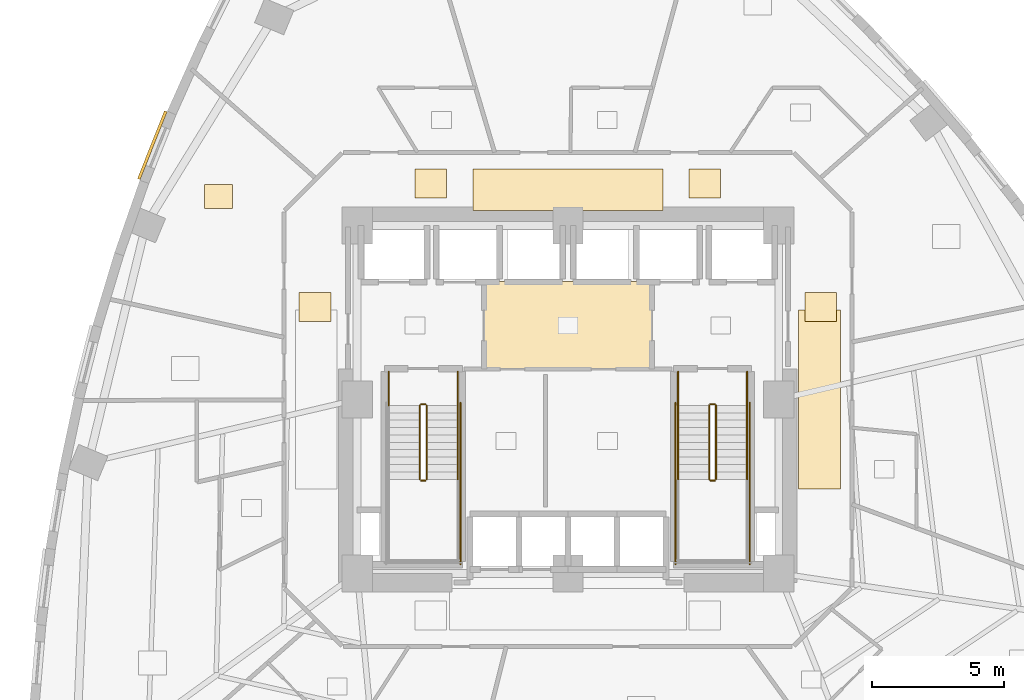
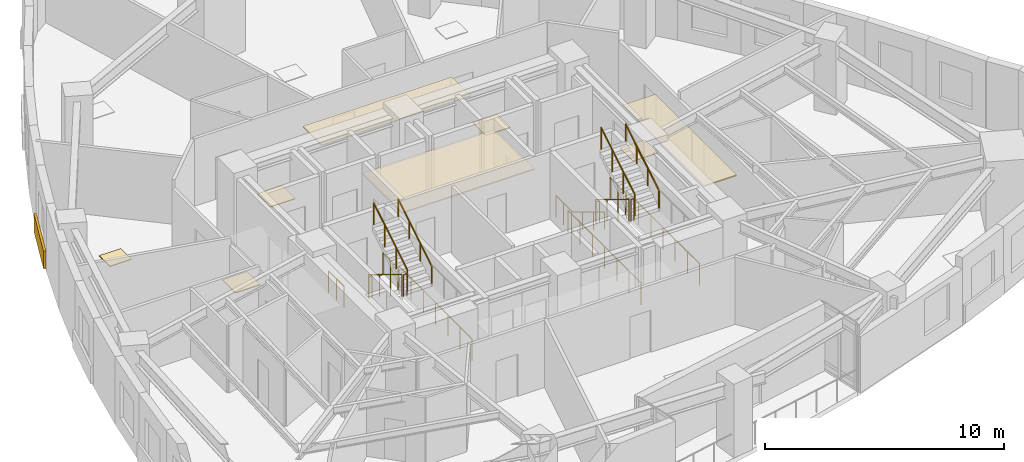
# One storey, part 11 of 12: 18 railings, 9 coverings.
"""IFC4 building model written with IfcOpenShell, lengths in metres."""

from ifc_helpers import new_model, si_unit, direction, frame, origin, origin_2d, place, context, subcontext, project, spatial, rectangle, circle, extrude, material, layer, layer_set, type_object, element, save


model = new_model("IFC4")

# Units and contexts
model_context = context("Model", 3, precision=1e-05, world=origin(), true_north=direction((0.0, 1.0)))
body_context = subcontext(model_context, "Body", "Model", "MODEL_VIEW")
ifc_project = project(units=[si_unit("LENGTHUNIT", "METRE"), si_unit("AREAUNIT", "SQUARE_METRE"), si_unit("VOLUMEUNIT", "CUBIC_METRE"), si_unit("PLANEANGLEUNIT", "RADIAN"), si_unit("MASSUNIT", "GRAM", prefix="KILO")], contexts=[model_context])

# Site, building, storey
site_placement = place(None, origin())
site = spatial("IfcSite", under=ifc_project, at=site_placement, CompositionType="ELEMENT")
building_placement = place(site_placement, origin())
building = spatial("IfcBuilding", under=site, at=building_placement, Name="Ndelora Gate Hotel", CompositionType="ELEMENT")
storey_placement = place(building_placement, frame((0.0, 0.0, 79.25)))
storey = spatial("IfcBuildingStorey", under=building, at=storey_placement, Name="L19", CompositionType="ELEMENT", Elevation=79.25)

# Coverings
ifc_material_1 = material(Name="Perforated Acoustic Gypsum Board", Category="gypsum")
ifc_layer_1 = layer(ifc_material_1, 0.054931640625)
ifc_layer_set_1 = layer_set([ifc_layer_1], Name="Perforated Acoustic Gypsum Board")
covering_type_1 = type_object("IfcCoveringType", Name="COV-CEIL-AC60", PredefinedType="CEILING", material=ifc_layer_set_1)
covering_1_placement = place(storey_placement, frame((0.0, 2.800048828125, 2.72265625), z_axis=(0.0, 0.0, 1.0), x_axis=(1.0, 0.0, 0.0)))
element("IfcCovering", 1, at=covering_1_placement, inside=storey, type_object=covering_type_1, Name="L19 Lift Lobby Acoustic Ceiling", PredefinedType="CEILING", context=body_context, shape_type="SweptSolid", body=[
    extrude(rectangle(XDim=6.39990234375, YDim=3.340087890625, at=origin_2d()), origin(), (0.0, 0.0, 1.0), 0.054931640625),
])
covering_2_placement = place(storey_placement, frame((0.0, 7.9599609375, 2.65234375), z_axis=(0.0, 0.0, 1.0), x_axis=(1.0, 0.0, 0.0)))
element("IfcCovering", 2, at=covering_2_placement, inside=storey, type_object=covering_type_1, Name="L19 Guest Corridor Acoustic Ceiling N", PredefinedType="CEILING", context=body_context, shape_type="SweptSolid", body=[
    extrude(rectangle(XDim=7.199951171875, YDim=1.580078125, at=origin_2d()), origin(), (0.0, 0.0, 1.0), 0.054931640625),
])
covering_3_placement = place(storey_placement, frame((9.550048828125, 0.0, 2.65234375), z_axis=(0.0, 0.0, 1.0), x_axis=(1.0, 0.0, 0.0)))
element("IfcCovering", 3, at=covering_3_placement, inside=storey, type_object=covering_type_1, Name="L19 Guest Corridor Acoustic Ceiling E", PredefinedType="CEILING", context=body_context, shape_type="SweptSolid", body=[
    extrude(rectangle(XDim=1.580078125, YDim=6.800048828125, at=origin_2d()), origin(), (0.0, 0.0, 1.0), 0.054931640625),
])
ifc_material_2 = material(Name="Terracotta Fired Clay Brick Slip Cladding", Category="masonry")
ifc_layer_2 = layer(ifc_material_2, 0.110107421875)
ifc_layer_set_2 = layer_set([ifc_layer_2], Name="Terracotta Fired Clay Brick Slip Cladding")
covering_type_2 = type_object("IfcCoveringType", Name="COV-CLAD-BRK", PredefinedType="CLADDING", material=ifc_layer_set_2)
covering_4_placement = place(storey_placement, frame((-15.774169921875, 9.650146484375, 0.10009765625), z_axis=(0.0, 0.0, 1.0), x_axis=(0.369260213935, 0.929326043111, 0.0)))
element("IfcCovering", 4, at=covering_4_placement, inside=storey, type_object=covering_type_2, Name="L19 Rounded-Corner Brick Cladding Band 13", PredefinedType="CLADDING", context=body_context, shape_type="SweptSolid", body=[
    extrude(rectangle(XDim=2.764892578125, YDim=0.110107421875, at=origin_2d()), origin(), (0.0, 0.0, 1.0), 0.89990234375),
])
ifc_material_3 = material(Name="Engineered Highland Oak Parquet", Category="wood")
ifc_layer_3 = layer(ifc_material_3, 0.030029296875)
ifc_layer_set_3 = layer_set([ifc_layer_3], Name="Engineered Highland Oak Parquet")
covering_type_3 = type_object("IfcCoveringType", Name="COV-FLR-PARQ", PredefinedType="FLOORING", material=ifc_layer_set_3)
covering_5_placement = place(storey_placement, frame((-13.259033203125, 7.698486328125, 0.0), z_axis=(0.0, 0.0, 1.0), x_axis=(1.0, 0.0, 0.0)))
element("IfcCovering", 5, at=covering_5_placement, inside=storey, type_object=covering_type_3, Name="L19 Espresso Cocktail Bar Oak Parquet Flooring", PredefinedType="FLOORING", context=body_context, shape_type="SweptSolid", body=[
    extrude(rectangle(XDim=1.050048828125, YDim=0.89990234375, at=origin_2d()), origin(), (0.0, 0.0, 1.0), 0.030029296875),
])
ifc_material_4 = material(Name="Polished Highland Stone Terrazzo", Category="masonry")
ifc_layer_4 = layer(ifc_material_4, 0.034912109375)
ifc_layer_set_4 = layer_set([ifc_layer_4], Name="Polished Highland Stone Terrazzo")
covering_type_4 = type_object("IfcCoveringType", Name="COV-FLR-TERZ", PredefinedType="FLOORING", material=ifc_layer_set_4)
for number, where, z_axis, x_axis, name in (
    (6, (-5.199951171875, 8.199951171875, 0.0), (0.0, 0.0, 1.0), (1.0, 0.0, 0.0), "L19 Corridor Threshold Terrazzo Inlay NW"),
    (7, (5.199951171875, 8.199951171875, 0.0), (0.0, 0.0, 1.0), (1.0, 0.0, 0.0), "L19 Corridor Threshold Terrazzo Inlay NE"),
    (8, (-9.60009765625, 3.5, 0.0), (0.0, 0.0, 1.0), (1.0, 0.0, 0.0), "L19 Corridor Threshold Terrazzo Inlay W"),
    (9, (9.60009765625, 3.5, 0.0), (0.0, 0.0, 1.0), (1.0, 0.0, 0.0), "L19 Corridor Threshold Terrazzo Inlay E"),
):
    element("IfcCovering", number, at=place(storey_placement, frame(where, z_axis=z_axis, x_axis=x_axis)), inside=storey, type_object=covering_type_4, Name=name, PredefinedType="FLOORING", context=body_context, shape_type="SweptSolid", body=[
        extrude(rectangle(XDim=1.199951171875, YDim=1.10009765625, at=origin_2d()), origin(), (0.0, 0.0, 1.0), 0.034912109375),
    ])

# Railings
ifc_material_5 = material(Name="Painted Galvanized Steel Balustrade", Category="steel")
ifc_layer_5 = layer(ifc_material_5, 0.06005859375)
ifc_layer_set_5 = layer_set([ifc_layer_5], Name="Painted Galvanized Steel Balustrade")
railing_type_1 = type_object("IfcRailingType", Name="RL-STAIR-GD", PredefinedType="GUARDRAIL", material=ifc_layer_set_5)
railing_1_placement = place(storey_placement, frame((-5.6201171875, -0.22998046875, 0.17041015625)))
element("IfcRailing", 10, at=railing_1_placement, inside=storey, type_object=railing_type_1, Name="L19 ST4 stair guard 1", PredefinedType="GUARDRAIL", context=body_context, shape_type="SweptSolid", body=[
    extrude(circle(Radius=0.02392578125, at=origin_2d()), frame((0.0, 0.0, 1.10595703125), z_axis=(0.0, -0.854169791009, 0.51999420009), x_axis=(1.0, 0.0, 0.0)), (0.0, 0.0, 1.0), 3.278076171875),
    extrude(circle(Radius=0.02099609375, at=origin_2d()), origin(), (0.0, 0.0, 1.0), 1.081787109375),
    extrude(circle(Radius=0.02099609375, at=origin_2d()), frame((0.0, -0.933349609375, 0.568115234375)), (0.0, 0.0, 1.0), 1.081787109375),
    extrude(circle(Radius=0.02099609375, at=origin_2d()), frame((0.0, -1.86669921875, 1.136474609375)), (0.0, 0.0, 1.0), 1.081787109375),
    extrude(circle(Radius=0.02099609375, at=origin_2d()), frame((0.0, -2.800048828125, 1.70458984375)), (0.0, 0.0, 1.0), 1.081787109375),
])
railing_2_placement = place(storey_placement, frame((-5.570068359375, -3.080078125, 1.875)))
element("IfcRailing", 11, at=railing_2_placement, inside=storey, type_object=railing_type_1, Name="L19 ST4 stair guard 2", PredefinedType="GUARDRAIL", context=body_context, shape_type="SweptSolid", body=[
    extrude(circle(Radius=0.02392578125, at=origin_2d()), frame((0.0, 0.0, 1.10595703125), z_axis=(1.0, 0.0, 0.0), x_axis=(0.0, 1.0, 0.0)), (0.0, 0.0, 1.0), 0.16015625),
    extrude(circle(Radius=0.02099609375, at=origin_2d()), origin(), (0.0, 0.0, 1.0), 1.081787109375),
    extrude(circle(Radius=0.02099609375, at=origin_2d()), frame((0.16015625, 0.0, 0.0)), (0.0, 0.0, 1.0), 1.081787109375),
])
railing_3_placement = place(storey_placement, frame((-5.360107421875, -3.030029296875, 2.04541015625)))
element("IfcRailing", 12, at=railing_3_placement, inside=storey, type_object=railing_type_1, Name="L19 ST4 stair guard 6", PredefinedType="GUARDRAIL", context=body_context, shape_type="SweptSolid", body=[
    extrude(circle(Radius=0.02392578125, at=origin_2d()), frame((0.0, 0.0, 1.10595703125), z_axis=(0.0, 0.854169791009, 0.51999420009), x_axis=(-1.0, 0.0, 0.0)), (0.0, 0.0, 1.0), 3.278076171875),
    extrude(circle(Radius=0.02099609375, at=origin_2d()), origin(), (0.0, 0.0, 1.0), 1.081787109375),
    extrude(circle(Radius=0.02099609375, at=origin_2d()), frame((0.0, 0.933349609375, 0.568115234375)), (0.0, 0.0, 1.0), 1.081787109375),
    extrude(circle(Radius=0.02099609375, at=origin_2d()), frame((0.0, 1.86669921875, 1.136474609375)), (0.0, 0.0, 1.0), 1.081787109375),
    extrude(circle(Radius=0.02099609375, at=origin_2d()), frame((0.0, 2.800048828125, 1.70458984375)), (0.0, 0.0, 1.0), 1.081787109375),
])
railing_4_placement = place(storey_placement, frame((-5.570068359375, -0.179931640625, 0.0)))
element("IfcRailing", 13, at=railing_4_placement, inside=storey, type_object=railing_type_1, Name="L19 ST4 stair guard 7", PredefinedType="GUARDRAIL", context=body_context, shape_type="SweptSolid", body=[
    extrude(circle(Radius=0.02392578125, at=origin_2d()), frame((0.0, 0.0, 1.10595703125), z_axis=(1.0, 0.0, 0.0), x_axis=(0.0, 1.0, 0.0)), (0.0, 0.0, 1.0), 0.16015625),
    extrude(circle(Radius=0.02099609375, at=origin_2d()), origin(), (0.0, 0.0, 1.0), 1.081787109375),
    extrude(circle(Radius=0.02099609375, at=origin_2d()), frame((0.16015625, 0.0, 0.0)), (0.0, 0.0, 1.0), 1.081787109375),
])
for number, where, name in (
    (14, (-6.800048828125, 1.050048828125, 0.0), "L19 ST4 stair guard 8"),
    (15, (-4.179931640625, 1.050048828125, 0.0), "L19 ST4 stair guard 9"),
):
    element("IfcRailing", number, at=place(storey_placement, frame(where)), inside=storey, type_object=railing_type_1, Name=name, PredefinedType="GUARDRAIL", context=body_context, shape_type="SweptSolid", body=[
        extrude(circle(Radius=0.02392578125, at=origin_2d()), frame((0.0, 0.0, 1.10595703125), z_axis=(0.0, -1.0, 0.0), x_axis=(1.0, 0.0, 0.0)), (0.0, 0.0, 1.0), 1.280029296875),
        extrude(circle(Radius=0.02099609375, at=origin_2d()), origin(), (0.0, 0.0, 1.0), 1.081787109375),
        extrude(circle(Radius=0.02099609375, at=origin_2d()), frame((0.0, -0.64013671875, 0.0)), (0.0, 0.0, 1.0), 1.081787109375),
        extrude(circle(Radius=0.02099609375, at=origin_2d()), frame((0.0, -1.280029296875, 0.0)), (0.0, 0.0, 1.0), 1.081787109375),
    ])
railing_5_placement = place(storey_placement, frame((-4.080078125, -0.1298828125, 0.0)))
element("IfcRailing", 16, at=railing_5_placement, inside=storey, type_object=railing_type_1, Name="L19 ST4 stair guard 11", PredefinedType="GUARDRAIL", context=body_context, shape_type="SweptSolid", body=[
    extrude(circle(Radius=0.02392578125, at=origin_2d()), frame((0.0, 0.0, 1.10595703125), z_axis=(0.0, -1.0, 0.0), x_axis=(1.0, 0.0, 0.0)), (0.0, 0.0, 1.0), 6.1201171875),
    extrude(circle(Radius=0.02099609375, at=origin_2d()), origin(), (0.0, 0.0, 1.0), 1.081787109375),
    extrude(circle(Radius=0.02099609375, at=origin_2d()), frame((0.0, -1.02001953125, 0.0)), (0.0, 0.0, 1.0), 1.081787109375),
    extrude(circle(Radius=0.02099609375, at=origin_2d()), frame((0.0, -2.0400390625, 0.0)), (0.0, 0.0, 1.0), 1.081787109375),
    extrude(circle(Radius=0.02099609375, at=origin_2d()), frame((0.0, -3.06005859375, 0.0)), (0.0, 0.0, 1.0), 1.081787109375),
    extrude(circle(Radius=0.02099609375, at=origin_2d()), frame((0.0, -4.080078125, 0.0)), (0.0, 0.0, 1.0), 1.081787109375),
    extrude(circle(Radius=0.02099609375, at=origin_2d()), frame((0.0, -5.10009765625, 0.0)), (0.0, 0.0, 1.0), 1.081787109375),
    extrude(circle(Radius=0.02099609375, at=origin_2d()), frame((0.0, -6.1201171875, 0.0)), (0.0, 0.0, 1.0), 1.081787109375),
])
railing_6_placement = place(storey_placement, frame((5.360107421875, -0.22998046875, 0.17041015625)))
element("IfcRailing", 17, at=railing_6_placement, inside=storey, type_object=railing_type_1, Name="L19 ST5 stair guard 1", PredefinedType="GUARDRAIL", context=body_context, shape_type="SweptSolid", body=[
    extrude(circle(Radius=0.02392578125, at=origin_2d()), frame((0.0, 0.0, 1.10595703125), z_axis=(0.0, -0.854169791009, 0.51999420009), x_axis=(1.0, 0.0, 0.0)), (0.0, 0.0, 1.0), 3.278076171875),
    extrude(circle(Radius=0.02099609375, at=origin_2d()), origin(), (0.0, 0.0, 1.0), 1.081787109375),
    extrude(circle(Radius=0.02099609375, at=origin_2d()), frame((0.0, -0.933349609375, 0.568115234375)), (0.0, 0.0, 1.0), 1.081787109375),
    extrude(circle(Radius=0.02099609375, at=origin_2d()), frame((0.0, -1.86669921875, 1.136474609375)), (0.0, 0.0, 1.0), 1.081787109375),
    extrude(circle(Radius=0.02099609375, at=origin_2d()), frame((0.0, -2.800048828125, 1.70458984375)), (0.0, 0.0, 1.0), 1.081787109375),
])
railing_7_placement = place(storey_placement, frame((5.409912109375, -3.080078125, 1.875)))
element("IfcRailing", 18, at=railing_7_placement, inside=storey, type_object=railing_type_1, Name="L19 ST5 stair guard 2", PredefinedType="GUARDRAIL", context=body_context, shape_type="SweptSolid", body=[
    extrude(circle(Radius=0.02392578125, at=origin_2d()), frame((0.0, 0.0, 1.10595703125), z_axis=(1.0, 0.0, 0.0), x_axis=(0.0, 1.0, 0.0)), (0.0, 0.0, 1.0), 0.16015625),
    extrude(circle(Radius=0.02099609375, at=origin_2d()), origin(), (0.0, 0.0, 1.0), 1.081787109375),
    extrude(circle(Radius=0.02099609375, at=origin_2d()), frame((0.16015625, 0.0, 0.0)), (0.0, 0.0, 1.0), 1.081787109375),
])
railing_8_placement = place(storey_placement, frame((5.6201171875, -3.030029296875, 2.04541015625)))
element("IfcRailing", 19, at=railing_8_placement, inside=storey, type_object=railing_type_1, Name="L19 ST5 stair guard 6", PredefinedType="GUARDRAIL", context=body_context, shape_type="SweptSolid", body=[
    extrude(circle(Radius=0.02392578125, at=origin_2d()), frame((0.0, 0.0, 1.10595703125), z_axis=(0.0, 0.854169791009, 0.51999420009), x_axis=(-1.0, 0.0, 0.0)), (0.0, 0.0, 1.0), 3.278076171875),
    extrude(circle(Radius=0.02099609375, at=origin_2d()), origin(), (0.0, 0.0, 1.0), 1.081787109375),
    extrude(circle(Radius=0.02099609375, at=origin_2d()), frame((0.0, 0.933349609375, 0.568115234375)), (0.0, 0.0, 1.0), 1.081787109375),
    extrude(circle(Radius=0.02099609375, at=origin_2d()), frame((0.0, 1.86669921875, 1.136474609375)), (0.0, 0.0, 1.0), 1.081787109375),
    extrude(circle(Radius=0.02099609375, at=origin_2d()), frame((0.0, 2.800048828125, 1.70458984375)), (0.0, 0.0, 1.0), 1.081787109375),
])
railing_9_placement = place(storey_placement, frame((5.409912109375, -0.179931640625, 0.0)))
element("IfcRailing", 20, at=railing_9_placement, inside=storey, type_object=railing_type_1, Name="L19 ST5 stair guard 7", PredefinedType="GUARDRAIL", context=body_context, shape_type="SweptSolid", body=[
    extrude(circle(Radius=0.02392578125, at=origin_2d()), frame((0.0, 0.0, 1.10595703125), z_axis=(1.0, 0.0, 0.0), x_axis=(0.0, 1.0, 0.0)), (0.0, 0.0, 1.0), 0.16015625),
    extrude(circle(Radius=0.02099609375, at=origin_2d()), origin(), (0.0, 0.0, 1.0), 1.081787109375),
    extrude(circle(Radius=0.02099609375, at=origin_2d()), frame((0.16015625, 0.0, 0.0)), (0.0, 0.0, 1.0), 1.081787109375),
])
for number, where, name in (
    (21, (4.179931640625, 1.050048828125, 0.0), "L19 ST5 stair guard 8"),
    (22, (6.800048828125, 1.050048828125, 0.0), "L19 ST5 stair guard 9"),
):
    element("IfcRailing", number, at=place(storey_placement, frame(where)), inside=storey, type_object=railing_type_1, Name=name, PredefinedType="GUARDRAIL", context=body_context, shape_type="SweptSolid", body=[
        extrude(circle(Radius=0.02392578125, at=origin_2d()), frame((0.0, 0.0, 1.10595703125), z_axis=(0.0, -1.0, 0.0), x_axis=(1.0, 0.0, 0.0)), (0.0, 0.0, 1.0), 1.280029296875),
        extrude(circle(Radius=0.02099609375, at=origin_2d()), origin(), (0.0, 0.0, 1.0), 1.081787109375),
        extrude(circle(Radius=0.02099609375, at=origin_2d()), frame((0.0, -0.64013671875, 0.0)), (0.0, 0.0, 1.0), 1.081787109375),
        extrude(circle(Radius=0.02099609375, at=origin_2d()), frame((0.0, -1.280029296875, 0.0)), (0.0, 0.0, 1.0), 1.081787109375),
    ])
for number, where, name in (
    (23, (4.080078125, -0.1298828125, 0.0), "L19 ST5 stair guard 10"),
    (24, (6.89990234375, -0.1298828125, 0.0), "L19 ST5 stair guard 11"),
):
    element("IfcRailing", number, at=place(storey_placement, frame(where)), inside=storey, type_object=railing_type_1, Name=name, PredefinedType="GUARDRAIL", context=body_context, shape_type="SweptSolid", body=[
        extrude(circle(Radius=0.02392578125, at=origin_2d()), frame((0.0, 0.0, 1.10595703125), z_axis=(0.0, -1.0, 0.0), x_axis=(1.0, 0.0, 0.0)), (0.0, 0.0, 1.0), 6.1201171875),
        extrude(circle(Radius=0.02099609375, at=origin_2d()), origin(), (0.0, 0.0, 1.0), 1.081787109375),
        extrude(circle(Radius=0.02099609375, at=origin_2d()), frame((0.0, -1.02001953125, 0.0)), (0.0, 0.0, 1.0), 1.081787109375),
        extrude(circle(Radius=0.02099609375, at=origin_2d()), frame((0.0, -2.0400390625, 0.0)), (0.0, 0.0, 1.0), 1.081787109375),
        extrude(circle(Radius=0.02099609375, at=origin_2d()), frame((0.0, -3.06005859375, 0.0)), (0.0, 0.0, 1.0), 1.081787109375),
        extrude(circle(Radius=0.02099609375, at=origin_2d()), frame((0.0, -4.080078125, 0.0)), (0.0, 0.0, 1.0), 1.081787109375),
        extrude(circle(Radius=0.02099609375, at=origin_2d()), frame((0.0, -5.10009765625, 0.0)), (0.0, 0.0, 1.0), 1.081787109375),
        extrude(circle(Radius=0.02099609375, at=origin_2d()), frame((0.0, -6.1201171875, 0.0)), (0.0, 0.0, 1.0), 1.081787109375),
    ])
ifc_material_6 = material(Name="Brushed Stainless Steel 316", Category="steel")
ifc_layer_6 = layer(ifc_material_6, 0.050048828125)
ifc_layer_set_6 = layer_set([ifc_layer_6], Name="Brushed Stainless Steel 316")
railing_type_2 = type_object("IfcRailingType", Name="RL-STAIR-HR", PredefinedType="HANDRAIL", material=ifc_layer_set_6)
railing_10_placement = place(storey_placement, frame((-4.179931640625, -3.030029296875, 2.04541015625)))
element("IfcRailing", 25, at=railing_10_placement, inside=storey, type_object=railing_type_2, Name="L19 ST4 stair handrail 2", PredefinedType="HANDRAIL", context=body_context, shape_type="SweptSolid", body=[
    extrude(circle(Radius=0.02392578125, at=origin_2d()), frame((0.0, 0.0, 0.8759765625), z_axis=(0.0, 0.854169791009, 0.51999420009), x_axis=(-1.0, 0.0, 0.0)), (0.0, 0.0, 1.0), 3.278076171875),
    extrude(circle(Radius=0.02099609375, at=origin_2d()), origin(), (0.0, 0.0, 1.0), 0.851806640625),
    extrude(circle(Radius=0.02099609375, at=origin_2d()), frame((0.0, 0.933349609375, 0.568115234375)), (0.0, 0.0, 1.0), 0.851806640625),
    extrude(circle(Radius=0.02099609375, at=origin_2d()), frame((0.0, 1.86669921875, 1.136474609375)), (0.0, 0.0, 1.0), 0.851806640625),
    extrude(circle(Radius=0.02099609375, at=origin_2d()), frame((0.0, 2.800048828125, 1.70458984375)), (0.0, 0.0, 1.0), 0.851806640625),
])
railing_11_placement = place(storey_placement, frame((4.179931640625, -0.22998046875, 0.17041015625)))
element("IfcRailing", 26, at=railing_11_placement, inside=storey, type_object=railing_type_2, Name="L19 ST5 stair handrail 1", PredefinedType="HANDRAIL", context=body_context, shape_type="SweptSolid", body=[
    extrude(circle(Radius=0.02392578125, at=origin_2d()), frame((0.0, 0.0, 0.8759765625), z_axis=(0.0, -0.854169791009, 0.51999420009), x_axis=(1.0, 0.0, 0.0)), (0.0, 0.0, 1.0), 3.278076171875),
    extrude(circle(Radius=0.02099609375, at=origin_2d()), origin(), (0.0, 0.0, 1.0), 0.851806640625),
    extrude(circle(Radius=0.02099609375, at=origin_2d()), frame((0.0, -0.933349609375, 0.568115234375)), (0.0, 0.0, 1.0), 0.851806640625),
    extrude(circle(Radius=0.02099609375, at=origin_2d()), frame((0.0, -1.86669921875, 1.136474609375)), (0.0, 0.0, 1.0), 0.851806640625),
    extrude(circle(Radius=0.02099609375, at=origin_2d()), frame((0.0, -2.800048828125, 1.70458984375)), (0.0, 0.0, 1.0), 0.851806640625),
])
railing_12_placement = place(storey_placement, frame((6.800048828125, -3.030029296875, 2.04541015625)))
element("IfcRailing", 27, at=railing_12_placement, inside=storey, type_object=railing_type_2, Name="L19 ST5 stair handrail 2", PredefinedType="HANDRAIL", context=body_context, shape_type="SweptSolid", body=[
    extrude(circle(Radius=0.02392578125, at=origin_2d()), frame((0.0, 0.0, 0.8759765625), z_axis=(0.0, 0.854169791009, 0.51999420009), x_axis=(-1.0, 0.0, 0.0)), (0.0, 0.0, 1.0), 3.278076171875),
    extrude(circle(Radius=0.02099609375, at=origin_2d()), origin(), (0.0, 0.0, 1.0), 0.851806640625),
    extrude(circle(Radius=0.02099609375, at=origin_2d()), frame((0.0, 0.933349609375, 0.568115234375)), (0.0, 0.0, 1.0), 0.851806640625),
    extrude(circle(Radius=0.02099609375, at=origin_2d()), frame((0.0, 1.86669921875, 1.136474609375)), (0.0, 0.0, 1.0), 0.851806640625),
    extrude(circle(Radius=0.02099609375, at=origin_2d()), frame((0.0, 2.800048828125, 1.70458984375)), (0.0, 0.0, 1.0), 0.851806640625),
])

save(model, "model.ifc")
